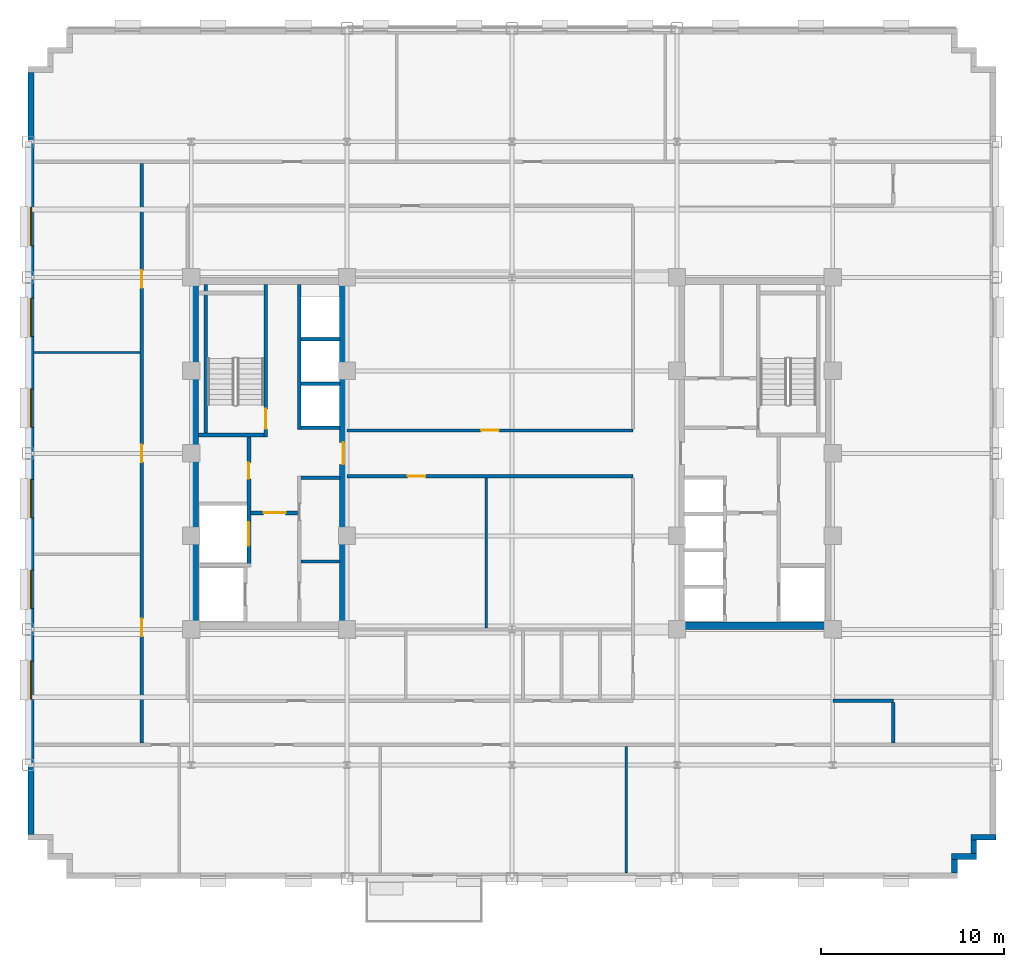
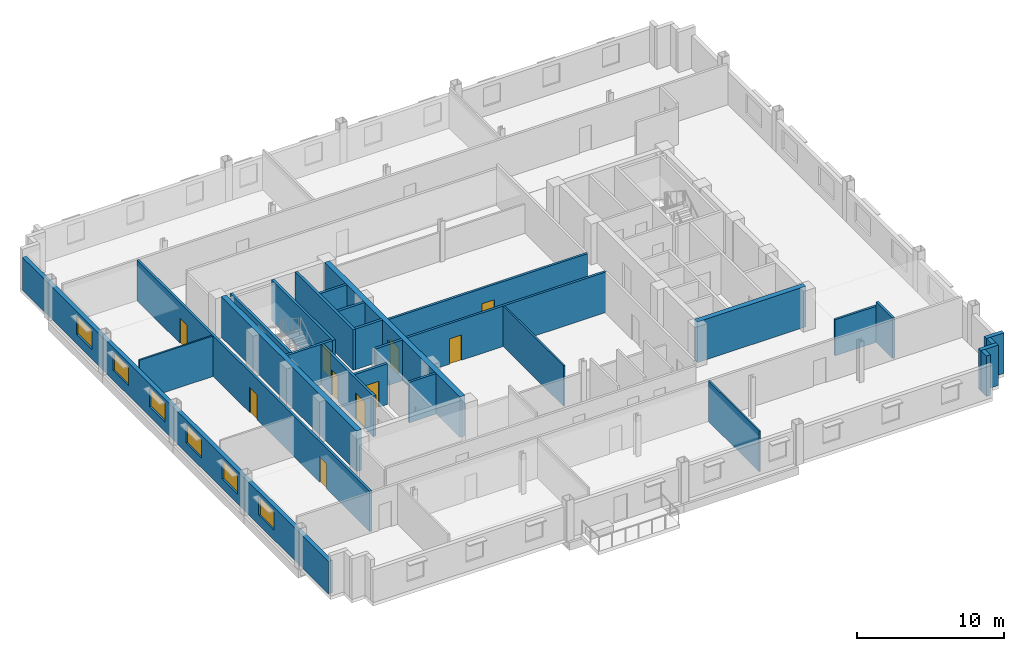
# One storey, part 7 of 13: 27 walls, 10 doors, 6 windows, 16 openings.
"""IFC4 building model written with IfcOpenShell, lengths in metres."""

from ifc_helpers import new_model, si_unit, direction, frame, frame_2d, origin, place, context, subcontext, project, spatial, rectangle, extrude, source, transform, mapped, material, layer, layer_set, type_object, type_shapes, element, fill, save


model = new_model("IFC4")

# Units and contexts
model_context = context("Model", 3, precision=1e-05, world=origin(), true_north=direction((0.0, 1.0)))
body_context = subcontext(model_context, "Body", "Model", "MODEL_VIEW")
ifc_project = project(units=[si_unit("LENGTHUNIT", "METRE"), si_unit("AREAUNIT", "SQUARE_METRE"), si_unit("VOLUMEUNIT", "CUBIC_METRE"), si_unit("PLANEANGLEUNIT", "RADIAN"), si_unit("MASSUNIT", "GRAM", prefix="KILO")], contexts=[model_context])

# Site, building, storey
site_placement = place(None, origin())
site = spatial("IfcSite", under=ifc_project, at=site_placement, CompositionType="ELEMENT")
building_placement = place(site_placement, origin())
building = spatial("IfcBuilding", under=site, at=building_placement, Name="Nuvemarco Arch Tower", CompositionType="ELEMENT")
storey_placement = place(building_placement, frame((0.0, 0.0, 153.050048828125)))
storey = spatial("IfcBuildingStorey", under=building, at=storey_placement, Name="L40", CompositionType="ELEMENT", Elevation=153.050048828125)

# Walls
ifc_material_1 = material(Name="Precast concrete C45/55", Category="concrete")
ifc_layer_1 = layer(ifc_material_1, 0.320068359375, Name="EW-MID-320")
ifc_layer_set_1 = layer_set([ifc_layer_1], Name="Precast concrete C45/55")
wall_type_1 = type_object("IfcWallType", Name="EW-MID-320", PredefinedType="STANDARD", material=ifc_layer_set_1)
wall_1_placement = place(storey_placement, frame((24.139892578125, -22.884033203125, 0.0), z_axis=(0.0, 0.0, 1.0), x_axis=(0.0, 1.0, 0.0)))
element("IfcWall", 1, at=wall_1_placement, inside=storey, type_object=wall_type_1, Name="L40 exterior precast facade wall 2", PredefinedType="STANDARD", context=body_context, shape_type="SweptSolid", body=[
    extrude(rectangle(XDim=0.738037109375, YDim=0.320068359375, at=frame_2d((0.369140625, 0.0))), origin(), (0.0, 0.0, 1.0), 3.35986328125),
])
wall_2_placement = place(storey_placement, frame((23.97998046875, -21.989990234375, 0.0), z_axis=(0.0, 0.0, 1.0), x_axis=(1.0, 0.0, 0.0)))
element("IfcWall", 2, at=wall_2_placement, inside=storey, type_object=wall_type_1, Name="L40 exterior precast facade wall 3", PredefinedType="STANDARD", context=body_context, shape_type="SweptSolid", body=[
    extrude(rectangle(XDim=1.3701171875, YDim=0.320068359375, at=frame_2d((0.68505859375, 0.0))), origin(), (0.0, 0.0, 1.0), 3.35986328125),
])
wall_3_placement = place(storey_placement, frame((25.18994140625, -21.833984375, 0.0), z_axis=(0.0, 0.0, 1.0), x_axis=(0.0, 1.0, 0.0)))
element("IfcWall", 3, at=wall_3_placement, inside=storey, type_object=wall_type_1, Name="L40 exterior precast facade wall 4", PredefinedType="STANDARD", context=body_context, shape_type="SweptSolid", body=[
    extrude(rectangle(XDim=0.738037109375, YDim=0.320068359375, at=frame_2d((0.369140625, 0.0))), origin(), (0.0, 0.0, 1.0), 3.35986328125),
])
wall_4_placement = place(storey_placement, frame((25.030029296875, -20.93994140625, 0.0), z_axis=(0.0, 0.0, 1.0), x_axis=(1.0, 0.0, 0.0)))
element("IfcWall", 4, at=wall_4_placement, inside=storey, type_object=wall_type_1, Name="L40 exterior precast facade wall 5", PredefinedType="STANDARD", context=body_context, shape_type="SweptSolid", body=[
    extrude(rectangle(XDim=1.369873046875, YDim=0.320068359375, at=frame_2d((0.68505859375, 0.0))), origin(), (0.0, 0.0, 1.0), 3.35986328125),
])

# Wall, openings, windows
wall_5_placement = place(storey_placement, frame((-26.239990234375, -20.783935546875, 0.0), z_axis=(0.0, 0.0, 1.0), x_axis=(0.0, 1.0, 0.0)))
wall_5 = element("IfcWall", 5, at=wall_5_placement, inside=storey, type_object=wall_type_1, Name="L40 exterior precast facade wall 16", PredefinedType="STANDARD", context=body_context, shape_type="SweptSolid", body=[
    extrude(rectangle(XDim=41.56787109375, YDim=0.320068359375, at=frame_2d((20.783935546875, 0.0))), origin(), (0.0, 0.0, 1.0), 2.704833984375),
])
opening_1_placement = place(wall_5_placement, frame((7.368896484375, 0.0, 0.800048828125)))
opening_1 = element("IfcOpeningElement", 6, at=opening_1_placement, cuts=wall_5, Name="Opening WN-5", PredefinedType="OPENING", context=body_context, shape_type="SweptSolid", body=[
    extrude(rectangle(XDim=2.10009765625, YDim=1.56005859375, at=frame_2d((1.050048828125, 0.780029296875))), frame((0.0, 0.169921875, 0.0), z_axis=(0.0, -1.0, 0.0), x_axis=(1.0, 0.0, 0.0)), (0.0, 0.0, 1.0), 0.340087890625),
])
opening_2_placement = place(wall_5_placement, frame((12.31494140625, 0.0, 0.800048828125)))
opening_2 = element("IfcOpeningElement", 7, at=opening_2_placement, cuts=wall_5, Name="Opening WN-5", PredefinedType="OPENING", context=body_context, shape_type="SweptSolid", body=[
    extrude(rectangle(XDim=2.10009765625, YDim=1.56005859375, at=frame_2d((1.050048828125, 0.780029296875))), frame((0.0, 0.169921875, 0.0), z_axis=(0.0, -1.0, 0.0), x_axis=(1.0, 0.0, 0.0)), (0.0, 0.0, 1.0), 0.340087890625),
])
opening_3_placement = place(wall_5_placement, frame((17.260986328125, 0.0, 0.800048828125)))
opening_3 = element("IfcOpeningElement", 8, at=opening_3_placement, cuts=wall_5, Name="Opening WN-5", PredefinedType="OPENING", context=body_context, shape_type="SweptSolid", body=[
    extrude(rectangle(XDim=2.10009765625, YDim=1.56005859375, at=frame_2d((1.050048828125, 0.780029296875))), frame((0.0, 0.169921875, 0.0), z_axis=(0.0, -1.0, 0.0), x_axis=(1.0, 0.0, 0.0)), (0.0, 0.0, 1.0), 0.340087890625),
])
opening_4_placement = place(wall_5_placement, frame((22.20703125, 0.0, 0.800048828125)))
opening_4 = element("IfcOpeningElement", 9, at=opening_4_placement, cuts=wall_5, Name="Opening WN-5", PredefinedType="OPENING", context=body_context, shape_type="SweptSolid", body=[
    extrude(rectangle(XDim=2.10009765625, YDim=1.56005859375, at=frame_2d((1.050048828125, 0.780029296875))), frame((0.0, 0.169921875, 0.0), z_axis=(0.0, -1.0, 0.0), x_axis=(1.0, 0.0, 0.0)), (0.0, 0.0, 1.0), 0.340087890625),
])
opening_5_placement = place(wall_5_placement, frame((27.153076171875, 0.0, 0.800048828125)))
opening_5 = element("IfcOpeningElement", 10, at=opening_5_placement, cuts=wall_5, Name="Opening WN-5", PredefinedType="OPENING", context=body_context, shape_type="SweptSolid", body=[
    extrude(rectangle(XDim=2.10009765625, YDim=1.56005859375, at=frame_2d((1.050048828125, 0.780029296875))), frame((0.0, 0.169921875, 0.0), z_axis=(0.0, -1.0, 0.0), x_axis=(1.0, 0.0, 0.0)), (0.0, 0.0, 1.0), 0.340087890625),
])
opening_6_placement = place(wall_5_placement, frame((32.09912109375, 0.0, 0.800048828125)))
opening_6 = element("IfcOpeningElement", 11, at=opening_6_placement, cuts=wall_5, Name="Opening WN-5", PredefinedType="OPENING", context=body_context, shape_type="SweptSolid", body=[
    extrude(rectangle(XDim=2.10009765625, YDim=1.56005859375, at=frame_2d((1.050048828125, 0.780029296875))), frame((0.0, 0.169921875, 0.0), z_axis=(0.0, -1.0, 0.0), x_axis=(1.0, 0.0, 0.0)), (0.0, 0.0, 1.0), 0.340087890625),
])
ifc_material_2 = material(Name="Insulated solar-control glass", Category="glass")
window_type = type_object("IfcWindowType", Name="WN-MID-2100x1560", PartitioningType="DOUBLE_PANEL_VERTICAL", PredefinedType="WINDOW", material=ifc_material_2)
shared_shape_1 = source(origin(), body_context, "Body", "SweptSolid", [
    extrude(rectangle(XDim=2.10009765625, YDim=1.56005859375, at=frame_2d((1.050048828125, 0.780029296875))), frame((0.0, 0.030029296875, 0.0), z_axis=(0.0, -1.0, 0.0), x_axis=(1.0, 0.0, 0.0)), (0.0, 0.0, 1.0), 0.06005859375),
])
type_shapes(window_type, [shared_shape_1])
window_1_placement = place(opening_1_placement, origin())
window_1 = element("IfcWindow", 12, at=window_1_placement, inside=storey, type_object=window_type, Name="L40 punched facade window 2", OverallHeight=1.56005859375, OverallWidth=2.10009765625, PartitioningType="SINGLE_PANEL", PredefinedType="WINDOW", context=body_context, shape_type="MappedRepresentation", body=[
    mapped(shared_shape_1, transform((0.0, 0.0, 0.0), scale=1.0)),
])
fill(opening_1, window_1)
window_2_placement = place(opening_2_placement, origin())
window_2 = element("IfcWindow", 13, at=window_2_placement, inside=storey, type_object=window_type, Name="L40 punched facade window 3", OverallHeight=1.56005859375, OverallWidth=2.10009765625, PartitioningType="SINGLE_PANEL", PredefinedType="WINDOW", context=body_context, shape_type="MappedRepresentation", body=[
    mapped(shared_shape_1, transform((0.0, 0.0, 0.0), scale=1.0)),
])
fill(opening_2, window_2)
window_3_placement = place(opening_3_placement, origin())
window_3 = element("IfcWindow", 14, at=window_3_placement, inside=storey, type_object=window_type, Name="L40 punched facade window 4", OverallHeight=1.56005859375, OverallWidth=2.10009765625, PartitioningType="SINGLE_PANEL", PredefinedType="WINDOW", context=body_context, shape_type="MappedRepresentation", body=[
    mapped(shared_shape_1, transform((0.0, 0.0, 0.0), scale=1.0)),
])
fill(opening_3, window_3)
window_4_placement = place(opening_4_placement, origin())
window_4 = element("IfcWindow", 15, at=window_4_placement, inside=storey, type_object=window_type, Name="L40 punched facade window 5", OverallHeight=1.56005859375, OverallWidth=2.10009765625, PartitioningType="SINGLE_PANEL", PredefinedType="WINDOW", context=body_context, shape_type="MappedRepresentation", body=[
    mapped(shared_shape_1, transform((0.0, 0.0, 0.0), scale=1.0)),
])
fill(opening_4, window_4)
window_5_placement = place(opening_5_placement, origin())
window_5 = element("IfcWindow", 16, at=window_5_placement, inside=storey, type_object=window_type, Name="L40 punched facade window 6", OverallHeight=1.56005859375, OverallWidth=2.10009765625, PartitioningType="SINGLE_PANEL", PredefinedType="WINDOW", context=body_context, shape_type="MappedRepresentation", body=[
    mapped(shared_shape_1, transform((0.0, 0.0, 0.0), scale=1.0)),
])
fill(opening_5, window_5)
window_6_placement = place(opening_6_placement, origin())
window_6 = element("IfcWindow", 17, at=window_6_placement, inside=storey, type_object=window_type, Name="L40 punched facade window 7", OverallHeight=1.56005859375, OverallWidth=2.10009765625, PartitioningType="SINGLE_PANEL", PredefinedType="WINDOW", context=body_context, shape_type="MappedRepresentation", body=[
    mapped(shared_shape_1, transform((0.0, 0.0, 0.0), scale=1.0)),
])
fill(opening_6, window_6)

# Wall
ifc_material_3 = material(Name="Concrete C60/75", Category="concrete")
ifc_layer_2 = layer(ifc_material_3, 0.39990234375, Name="WL-CORE-400")
ifc_layer_set_2 = layer_set([ifc_layer_2], Name="Concrete C60/75")
wall_type_2 = type_object("IfcWallType", Name="WL-CORE-400", PredefinedType="SHEAR", material=ifc_layer_set_2)
wall_6_placement = place(storey_placement, frame((-17.300048828125, -9.205078125, 0.0), z_axis=(0.0, 0.0, 1.0), x_axis=(0.0, 1.0, 0.0)))
element("IfcWall", 18, at=wall_6_placement, inside=storey, type_object=wall_type_2, Name="L40 W-core shear wall W", PredefinedType="SHEAR", context=body_context, shape_type="SweptSolid", body=[
    extrude(rectangle(XDim=18.41015625, YDim=0.39990234375, at=frame_2d((9.205078125, 0.0))), origin(), (0.0, 0.0, 1.0), 3.369873046875),
])

# Wall, opening, door
wall_7_placement = place(storey_placement, frame((-9.199951171875, -9.205078125, 0.0), z_axis=(0.0, 0.0, 1.0), x_axis=(0.0, 1.0, 0.0)))
wall_7 = element("IfcWall", 19, at=wall_7_placement, inside=storey, type_object=wall_type_2, Name="L40 W-core shear wall E", PredefinedType="SHEAR", context=body_context, shape_type="SweptSolid", body=[
    extrude(rectangle(XDim=18.41015625, YDim=0.39990234375, at=frame_2d((9.205078125, 0.0))), origin(), (0.0, 0.0, 1.0), 3.369873046875),
])
opening_7_placement = place(wall_7_placement, frame((8.60498046875, 0.0, 0.0)))
opening_7 = element("IfcOpeningElement", 20, at=opening_7_placement, cuts=wall_7, Name="Opening FD-2", PredefinedType="OPENING", context=body_context, shape_type="SweptSolid", body=[
    extrude(rectangle(XDim=1.199951171875, YDim=2.14990234375, at=frame_2d((0.60009765625, 1.074951171875))), frame((0.0, 0.2099609375, 0.0), z_axis=(0.0, -1.0, 0.0), x_axis=(1.0, 0.0, 0.0)), (0.0, 0.0, 1.0), 0.419921875),
])
ifc_material_4 = material(Name="Anodised steel fire door", Category="steel")
door_type_1 = type_object("IfcDoorType", Name="DR-FFLOB-FD", OperationType="NOTDEFINED", PredefinedType="DOOR", material=ifc_material_4)
shared_shape_2 = source(origin(), body_context, "Body", "SweptSolid", [
    extrude(rectangle(XDim=1.199951171875, YDim=2.14990234375, at=frame_2d((0.60009765625, 1.074951171875))), frame((0.0, 0.02490234375, 0.0), z_axis=(0.0, -1.0, 0.0), x_axis=(1.0, 0.0, 0.0)), (0.0, 0.0, 1.0), 0.050048828125),
])
type_shapes(door_type_1, [shared_shape_2])
door_1_placement = place(opening_7_placement, origin())
door_1 = element("IfcDoor", 21, at=door_1_placement, inside=storey, type_object=door_type_1, Name="L40 door FD-L40-WCORE-E", OperationType="SINGLE_SWING_LEFT", OverallHeight=2.14990234375, OverallWidth=1.199951171875, PredefinedType="DOOR", context=body_context, shape_type="MappedRepresentation", body=[
    mapped(shared_shape_2, transform((0.0, 0.0, 0.0), scale=1.0)),
])
fill(opening_7, door_1)

# Walls
wall_8_placement = place(storey_placement, frame((9.0, -9.39990234375, 0.0), z_axis=(0.0, 0.0, 1.0), x_axis=(1.0, 0.0, 0.0)))
element("IfcWall", 22, at=wall_8_placement, inside=storey, type_object=wall_type_2, Name="L40 E-core shear wall S", PredefinedType="SHEAR", context=body_context, shape_type="SweptSolid", body=[
    extrude(rectangle(XDim=8.5, YDim=0.39990234375, at=frame_2d((4.25, 0.0))), origin(), (0.0, 0.0, 1.0), 3.369873046875),
])
ifc_material_5 = material(Name="Fire-rated gypsum drywall partition")
ifc_layer_3 = layer(ifc_material_5, 0.179931640625, Name="WL-CORR-180")
ifc_layer_set_3 = layer_set([ifc_layer_3], Name="Fire-rated gypsum drywall partition")
wall_type_3 = type_object("IfcWallType", Name="WL-CORR-180", PredefinedType="PARTITIONING", material=ifc_layer_set_3)
wall_9_placement = place(storey_placement, frame((-11.5048828125, -5.89990234375, 0.0), z_axis=(0.0, 0.0, 1.0), x_axis=(1.0, 0.0, 0.0)))
element("IfcWall", 23, at=wall_9_placement, inside=storey, type_object=wall_type_3, Name="L40 interior wall IW-L40-W-RECK3", PredefinedType="PARTITIONING", context=body_context, shape_type="SweptSolid", body=[
    extrude(rectangle(XDim=2.10986328125, YDim=0.179931640625, at=frame_2d((1.054931640625, 0.0))), origin(), (0.0, 0.0, 1.0), 3.35986328125),
])
wall_10_placement = place(storey_placement, frame((17.5, -13.5, 0.0), z_axis=(0.0, 0.0, 1.0), x_axis=(1.0, 0.0, 0.0)))
element("IfcWall", 24, at=wall_10_placement, inside=storey, type_object=wall_type_3, Name="L40 interior wall IW-L40-003", PredefinedType="PARTITIONING", context=body_context, shape_type="SweptSolid", body=[
    extrude(rectangle(XDim=3.300048828125, YDim=0.179931640625, at=frame_2d((1.64990234375, 0.0))), origin(), (0.0, 0.0, 1.0), 2.998046875),
])

# Wall, opening, door
wall_11_placement = place(storey_placement, frame((-9.0, -1.25, 0.0), z_axis=(0.0, 0.0, 1.0), x_axis=(1.0, 0.0, 0.0)))
wall_11 = element("IfcWall", 25, at=wall_11_placement, inside=storey, type_object=wall_type_3, Name="L40 interior wall IW-L40-007", PredefinedType="PARTITIONING", context=body_context, shape_type="SweptSolid", body=[
    extrude(rectangle(XDim=15.60009765625, YDim=0.179931640625, at=frame_2d((7.800048828125, 0.0))), origin(), (0.0, 0.0, 1.0), 3.35986328125),
])
opening_8_placement = place(wall_11_placement, frame((3.320068359375, 0.0, 0.0)))
opening_8 = element("IfcOpeningElement", 26, at=opening_8_placement, cuts=wall_11, Name="Opening FD-5", PredefinedType="OPENING", context=body_context, shape_type="SweptSolid", body=[
    extrude(rectangle(XDim=0.9599609375, YDim=2.10009765625, at=frame_2d((0.47998046875, 1.050048828125))), frame((0.0, 0.099853515625, 0.0), z_axis=(0.0, -1.0, 0.0), x_axis=(1.0, 0.0, 0.0)), (0.0, 0.0, 1.0), 0.199951171875),
])
ifc_material_6 = material(Name="Timber fire door", Category="wood")
door_type_2 = type_object("IfcDoorType", Name="DR-CORR-FD", OperationType="NOTDEFINED", PredefinedType="DOOR", material=ifc_material_6)
shared_shape_3 = source(origin(), body_context, "Body", "SweptSolid", [
    extrude(rectangle(XDim=0.9599609375, YDim=2.10009765625, at=frame_2d((0.47998046875, 1.050048828125))), frame((0.0, 0.02490234375, 0.0), z_axis=(0.0, -1.0, 0.0), x_axis=(1.0, 0.0, 0.0)), (0.0, 0.0, 1.0), 0.050048828125),
])
type_shapes(door_type_2, [shared_shape_3])
door_2_placement = place(opening_8_placement, origin())
door_2 = element("IfcDoor", 27, at=door_2_placement, inside=storey, type_object=door_type_2, Name="L40 door DR-L40-C_S1", OperationType="SINGLE_SWING_LEFT", OverallHeight=2.10009765625, OverallWidth=0.9599609375, PredefinedType="DOOR", context=body_context, shape_type="MappedRepresentation", body=[
    mapped(shared_shape_3, transform((0.0, 0.0, 0.0), scale=1.0)),
])
fill(opening_8, door_2)

wall_12_placement = place(storey_placement, frame((-9.0, 1.25, 0.0), z_axis=(0.0, 0.0, 1.0), x_axis=(1.0, 0.0, 0.0)))
wall_12 = element("IfcWall", 28, at=wall_12_placement, inside=storey, type_object=wall_type_3, Name="L40 interior wall IW-L40-008", PredefinedType="PARTITIONING", context=body_context, shape_type="SweptSolid", body=[
    extrude(rectangle(XDim=15.60009765625, YDim=0.179931640625, at=frame_2d((7.800048828125, 0.0))), origin(), (0.0, 0.0, 1.0), 3.35986328125),
])
opening_9_placement = place(wall_12_placement, frame((7.320068359375, 0.0, 0.0)))
opening_9 = element("IfcOpeningElement", 29, at=opening_9_placement, cuts=wall_12, Name="Opening FD-5", PredefinedType="OPENING", context=body_context, shape_type="SweptSolid", body=[
    extrude(rectangle(XDim=0.9599609375, YDim=2.10009765625, at=frame_2d((0.47998046875, 1.050048828125))), frame((0.0, 0.099853515625, 0.0), z_axis=(0.0, -1.0, 0.0), x_axis=(1.0, 0.0, 0.0)), (0.0, 0.0, 1.0), 0.199951171875),
])
door_3_placement = place(opening_9_placement, origin())
door_3 = element("IfcDoor", 30, at=door_3_placement, inside=storey, type_object=door_type_2, Name="L40 door DR-L40-C_N1", OperationType="SINGLE_SWING_LEFT", OverallHeight=2.10009765625, OverallWidth=0.9599609375, PredefinedType="DOOR", context=body_context, shape_type="MappedRepresentation", body=[
    mapped(shared_shape_3, transform((0.0, 0.0, 0.0), scale=1.0)),
])
fill(opening_9, door_3)

# Wall, openings, doors
wall_13_placement = place(storey_placement, frame((-20.199951171875, -15.81396484375, 0.0), z_axis=(0.0, 0.0, 1.0), x_axis=(0.0, 1.0, 0.0)))
wall_13 = element("IfcWall", 31, at=wall_13_placement, inside=storey, type_object=wall_type_3, Name="L40 interior wall IW-L40-015", PredefinedType="PARTITIONING", context=body_context, shape_type="SweptSolid", body=[
    extrude(rectangle(XDim=31.6279296875, YDim=0.179931640625, at=frame_2d((15.81396484375, 0.0))), origin(), (0.0, 0.0, 1.0), 3.35986328125),
])
opening_10_placement = place(wall_13_placement, frame((15.333984375, 0.0, 0.0)))
opening_10 = element("IfcOpeningElement", 32, at=opening_10_placement, cuts=wall_13, Name="Opening FD-5", PredefinedType="OPENING", context=body_context, shape_type="SweptSolid", body=[
    extrude(rectangle(XDim=0.9599609375, YDim=2.10009765625, at=frame_2d((0.47998046875, 1.050048828125))), frame((0.0, 0.099853515625, 0.0), z_axis=(0.0, -1.0, 0.0), x_axis=(1.0, 0.0, 0.0)), (0.0, 0.0, 1.0), 0.199951171875),
])
opening_11_placement = place(wall_13_placement, frame((5.833984375, 0.0, 0.0)))
opening_11 = element("IfcOpeningElement", 33, at=opening_11_placement, cuts=wall_13, Name="Opening FD-5", PredefinedType="OPENING", context=body_context, shape_type="SweptSolid", body=[
    extrude(rectangle(XDim=0.9599609375, YDim=2.10009765625, at=frame_2d((0.47998046875, 1.050048828125))), frame((0.0, 0.099853515625, 0.0), z_axis=(0.0, -1.0, 0.0), x_axis=(1.0, 0.0, 0.0)), (0.0, 0.0, 1.0), 0.199951171875),
])
opening_12_placement = place(wall_13_placement, frame((24.833984375, 0.0, 0.0)))
opening_12 = element("IfcOpeningElement", 34, at=opening_12_placement, cuts=wall_13, Name="Opening FD-5", PredefinedType="OPENING", context=body_context, shape_type="SweptSolid", body=[
    extrude(rectangle(XDim=0.9599609375, YDim=2.10009765625, at=frame_2d((0.47998046875, 1.050048828125))), frame((0.0, 0.099853515625, 0.0), z_axis=(0.0, -1.0, 0.0), x_axis=(1.0, 0.0, 0.0)), (0.0, 0.0, 1.0), 0.199951171875),
])
door_4_placement = place(opening_10_placement, origin())
door_4 = element("IfcDoor", 35, at=door_4_placement, inside=storey, type_object=door_type_2, Name="L40 door DR-L40-W_2", OperationType="SINGLE_SWING_RIGHT", OverallHeight=2.10009765625, OverallWidth=0.9599609375, PredefinedType="DOOR", context=body_context, shape_type="MappedRepresentation", body=[
    mapped(shared_shape_3, transform((0.0, 0.0, 0.0), scale=1.0)),
])
fill(opening_10, door_4)
door_5_placement = place(opening_11_placement, origin())
door_5 = element("IfcDoor", 36, at=door_5_placement, inside=storey, type_object=door_type_2, Name="L40 door DR-L40-W_1", OperationType="SINGLE_SWING_LEFT", OverallHeight=2.10009765625, OverallWidth=0.9599609375, PredefinedType="DOOR", context=body_context, shape_type="MappedRepresentation", body=[
    mapped(shared_shape_3, transform((0.0, 0.0, 0.0), scale=1.0)),
])
fill(opening_11, door_5)
door_6_placement = place(opening_12_placement, origin())
door_6 = element("IfcDoor", 37, at=door_6_placement, inside=storey, type_object=door_type_2, Name="L40 door DR-L40-W_3", OperationType="SINGLE_SWING_RIGHT", OverallHeight=2.10009765625, OverallWidth=0.9599609375, PredefinedType="DOOR", context=body_context, shape_type="MappedRepresentation", body=[
    mapped(shared_shape_3, transform((0.0, 0.0, 0.0), scale=1.0)),
])
fill(opening_12, door_6)

# Walls
wall_14_placement = place(storey_placement, frame((20.800048828125, -15.81396484375, 0.0), z_axis=(0.0, 0.0, 1.0), x_axis=(0.0, 1.0, 0.0)))
element("IfcWall", 38, at=wall_14_placement, inside=storey, type_object=wall_type_3, Name="L40 interior wall IW-L40-030", PredefinedType="PARTITIONING", context=body_context, shape_type="SweptSolid", body=[
    extrude(rectangle(XDim=2.22802734375, YDim=0.179931640625, at=frame_2d((1.114013671875, 0.0))), origin(), (0.0, 0.0, 1.0), 3.35986328125),
])
ifc_material_7 = material(Name="Glazed acoustic office partition")
ifc_layer_4 = layer(ifc_material_7, 0.1298828125, Name="WL-EXEC-130")
ifc_layer_set_4 = layer_set([ifc_layer_4], Name="Glazed acoustic office partition")
wall_type_4 = type_object("IfcWallType", Name="WL-EXEC-130", PredefinedType="PARTITIONING", material=ifc_layer_set_4)
wall_15_placement = place(storey_placement, frame((-26.080078125, 5.5, 0.0), z_axis=(0.0, 0.0, 1.0), x_axis=(1.0, 0.0, 0.0)))
element("IfcWall", 39, at=wall_15_placement, inside=storey, type_object=wall_type_4, Name="L40 interior wall IW-L40-009", PredefinedType="PARTITIONING", context=body_context, shape_type="SweptSolid", body=[
    extrude(rectangle(XDim=5.794189453125, YDim=0.1298828125, at=frame_2d((2.89697265625, 0.0))), origin(), (0.0, 0.0, 1.0), 3.35986328125),
])
wall_16_placement = place(storey_placement, frame((-1.39990234375, -9.52392578125, 0.0), z_axis=(0.0, 0.0, 1.0), x_axis=(0.0, 1.0, 0.0)))
element("IfcWall", 40, at=wall_16_placement, inside=storey, type_object=wall_type_4, Name="L40 interior wall IW-L40-022", PredefinedType="PARTITIONING", context=body_context, shape_type="SweptSolid", body=[
    extrude(rectangle(XDim=8.18798828125, YDim=0.1298828125, at=frame_2d((4.093994140625, 0.0))), origin(), (0.0, 0.0, 1.0), 3.35986328125),
])
wall_17_placement = place(storey_placement, frame((6.22998046875, -22.8798828125, 0.0), z_axis=(0.0, 0.0, 1.0), x_axis=(0.0, 1.0, 0.0)))
element("IfcWall", 41, at=wall_17_placement, inside=storey, type_object=wall_type_4, Name="L40 interior wall IW-L40-026", PredefinedType="PARTITIONING", context=body_context, shape_type="SweptSolid", body=[
    extrude(rectangle(XDim=6.893798828125, YDim=0.1298828125, at=frame_2d((3.44677734375, 0.0))), origin(), (0.0, 0.0, 1.0), 3.35986328125),
])

# Wall, opening, door
ifc_material_8 = material(Name="Concrete C50/60", Category="concrete")
ifc_layer_5 = layer(ifc_material_8, 0.199951171875, Name="WL-SHAFT-220")
ifc_layer_set_5 = layer_set([ifc_layer_5], Name="Concrete C50/60")
wall_type_5 = type_object("IfcWallType", Name="WL-SHAFT-220", PredefinedType="SHEAR", material=ifc_layer_set_5)
wall_18_placement = place(storey_placement, frame((-13.43994140625, 0.89990234375, 0.0), z_axis=(0.0, 0.0, 1.0), x_axis=(0.0, 1.0, 0.0)))
wall_18 = element("IfcWall", 42, at=wall_18_placement, inside=storey, type_object=wall_type_5, Name="L40 structural shaft wall SW-L40-W-ST1E", PredefinedType="SHEAR", context=body_context, shape_type="SweptSolid", body=[
    extrude(rectangle(XDim=8.30517578125, YDim=0.199951171875, at=frame_2d((4.152587890625, 0.0))), origin(), (0.0, 0.0, 1.0), 3.369873046875),
])
opening_13_placement = place(wall_18_placement, frame((1.530029296875, 0.0, 0.0), z_axis=(0.0, 0.0, 1.0), x_axis=(-1.0, 0.0, 0.0)))
opening_13 = element("IfcOpeningElement", 43, at=opening_13_placement, cuts=wall_18, Name="Opening FD-1", PredefinedType="OPENING", context=body_context, shape_type="SweptSolid", body=[
    extrude(rectangle(XDim=1.10009765625, YDim=2.14990234375, at=frame_2d((0.550048828125, 1.074951171875))), frame((0.0, 0.10986328125, 0.0), z_axis=(0.0, -1.0, 0.0), x_axis=(1.0, 0.0, 0.0)), (0.0, 0.0, 1.0), 0.219970703125),
])
door_type_3 = type_object("IfcDoorType", Name="DR-STAIR-FD", OperationType="NOTDEFINED", PredefinedType="DOOR", material=ifc_material_4)
shared_shape_4 = source(origin(), body_context, "Body", "SweptSolid", [
    extrude(rectangle(XDim=1.10009765625, YDim=2.14990234375, at=frame_2d((0.550048828125, 1.074951171875))), frame((0.0, 0.02490234375, 0.0), z_axis=(0.0, -1.0, 0.0), x_axis=(1.0, 0.0, 0.0)), (0.0, 0.0, 1.0), 0.050048828125),
])
type_shapes(door_type_3, [shared_shape_4])
door_7_placement = place(opening_13_placement, origin())
door_7 = element("IfcDoor", 44, at=door_7_placement, inside=storey, type_object=door_type_3, Name="L40 door FD-L40-ST1", OperationType="SINGLE_SWING_LEFT", OverallHeight=2.14990234375, OverallWidth=1.10009765625, PredefinedType="DOOR", context=body_context, shape_type="MappedRepresentation", body=[
    mapped(shared_shape_4, transform((0.0, 0.0, 0.0), scale=1.0)),
])
fill(opening_13, door_7)

# Walls
wall_19_placement = place(storey_placement, frame((-17.10498046875, 1.0, 0.0), z_axis=(0.0, 0.0, 1.0), x_axis=(1.0, 0.0, 0.0)))
element("IfcWall", 45, at=wall_19_placement, inside=storey, type_object=wall_type_5, Name="L40 structural shaft wall SW-L40-W-ST1S", PredefinedType="SHEAR", context=body_context, shape_type="SweptSolid", body=[
    extrude(rectangle(XDim=3.570068359375, YDim=0.199951171875, at=frame_2d((1.78515625, 0.0))), origin(), (0.0, 0.0, 1.0), 3.369873046875),
])
wall_20_placement = place(storey_placement, frame((-16.699951171875, 1.094970703125, 0.0), z_axis=(0.0, 0.0, 1.0), x_axis=(0.0, 1.0, 0.0)))
element("IfcWall", 46, at=wall_20_placement, inside=storey, type_object=wall_type_5, Name="L40 structural shaft wall SW-L40-W-ST1W", PredefinedType="SHEAR", context=body_context, shape_type="SweptSolid", body=[
    extrude(rectangle(XDim=8.110107421875, YDim=0.199951171875, at=frame_2d((4.05517578125, 0.0))), origin(), (0.0, 0.0, 1.0), 3.369873046875),
])

# Wall, openings, doors
wall_21_placement = place(storey_placement, frame((-14.35009765625, -6.199951171875, 0.0), z_axis=(0.0, 0.0, 1.0), x_axis=(0.0, 1.0, 0.0)))
wall_21 = element("IfcWall", 47, at=wall_21_placement, inside=storey, type_object=wall_type_5, Name="L40 structural shaft wall SW-L40-W-SVE", PredefinedType="SHEAR", context=body_context, shape_type="SweptSolid", body=[
    extrude(rectangle(XDim=7.10498046875, YDim=0.199951171875, at=frame_2d((3.552490234375, 0.0))), origin(), (0.0, 0.0, 1.0), 3.369873046875),
])
opening_14_placement = place(wall_21_placement, frame((5.68994140625, 0.0, 0.0), z_axis=(0.0, 0.0, 1.0), x_axis=(-1.0, 0.0, 0.0)))
opening_14 = element("IfcOpeningElement", 48, at=opening_14_placement, cuts=wall_21, Name="Opening FD-4", PredefinedType="OPENING", context=body_context, shape_type="SweptSolid", body=[
    extrude(rectangle(XDim=0.8798828125, YDim=2.10009765625, at=frame_2d((0.43994140625, 1.050048828125))), frame((0.0, 0.10986328125, 0.0), z_axis=(0.0, -1.0, 0.0), x_axis=(1.0, 0.0, 0.0)), (0.0, 0.0, 1.0), 0.219970703125),
])
opening_15_placement = place(wall_21_placement, frame((1.14990234375, 0.0, 0.0)))
opening_15 = element("IfcOpeningElement", 49, at=opening_15_placement, cuts=wall_21, Name="Opening LD-3", PredefinedType="OPENING", context=body_context, shape_type="SweptSolid", body=[
    extrude(rectangle(XDim=1.300048828125, YDim=2.199951171875, at=frame_2d((0.64990234375, 1.10009765625))), frame((0.0, 0.10986328125, 0.0), z_axis=(0.0, -1.0, 0.0), x_axis=(1.0, 0.0, 0.0)), (0.0, 0.0, 1.0), 0.219970703125),
])
door_type_4 = type_object("IfcDoorType", Name="DR-RISER-FD", OperationType="NOTDEFINED", PredefinedType="DOOR", material=ifc_material_4)
shared_shape_5 = source(origin(), body_context, "Body", "SweptSolid", [
    extrude(rectangle(XDim=0.8798828125, YDim=2.10009765625, at=frame_2d((0.43994140625, 1.050048828125))), frame((0.0, 0.02490234375, 0.0), z_axis=(0.0, -1.0, 0.0), x_axis=(1.0, 0.0, 0.0)), (0.0, 0.0, 1.0), 0.050048828125),
])
type_shapes(door_type_4, [shared_shape_5])
door_8_placement = place(opening_14_placement, origin())
door_8 = element("IfcDoor", 50, at=door_8_placement, inside=storey, type_object=door_type_4, Name="L40 door FD-L40-WRIS", OperationType="SINGLE_SWING_LEFT", OverallHeight=2.10009765625, OverallWidth=0.8798828125, PredefinedType="DOOR", context=body_context, shape_type="MappedRepresentation", body=[
    mapped(shared_shape_5, transform((0.0, 0.0, 0.0), scale=1.0)),
])
fill(opening_14, door_8)
ifc_material_9 = material(Name="Stainless steel lift door", Category="steel")
door_type_5 = type_object("IfcDoorType", Name="DR-LIFT-SERV", OperationType="DOUBLE_DOOR_SLIDING", PredefinedType="DOOR", material=ifc_material_9)
shared_shape_6 = source(origin(), body_context, "Body", "SweptSolid", [
    extrude(rectangle(XDim=1.300048828125, YDim=2.199951171875, at=frame_2d((0.64990234375, 1.10009765625))), frame((0.0, 0.02490234375, 0.0), z_axis=(0.0, -1.0, 0.0), x_axis=(1.0, 0.0, 0.0)), (0.0, 0.0, 1.0), 0.050048828125),
])
type_shapes(door_type_5, [shared_shape_6])
door_9_placement = place(opening_15_placement, origin())
door_9 = element("IfcDoor", 51, at=door_9_placement, inside=storey, type_object=door_type_5, Name="L40 Lift landing sliding door SVL-1", OperationType="DOUBLE_DOOR_SLIDING", OverallHeight=2.199951171875, OverallWidth=1.300048828125, PredefinedType="DOOR", context=body_context, shape_type="MappedRepresentation", body=[
    mapped(shared_shape_6, transform((0.0, 0.0, 0.0), scale=1.0)),
])
fill(opening_15, door_9)

# Wall, opening, door
wall_22_placement = place(storey_placement, frame((-14.2548828125, -3.25, 0.0), z_axis=(0.0, 0.0, 1.0), x_axis=(1.0, 0.0, 0.0)))
wall_22 = element("IfcWall", 52, at=wall_22_placement, inside=storey, type_object=wall_type_5, Name="L40 structural shaft wall SW-L40-W-FFN", PredefinedType="SHEAR", context=body_context, shape_type="SweptSolid", body=[
    extrude(rectangle(XDim=2.559814453125, YDim=0.199951171875, at=frame_2d((1.27978515625, 0.0))), origin(), (0.0, 0.0, 1.0), 3.369873046875),
])
opening_16_placement = place(wall_22_placement, frame((0.705078125, 0.0, 0.0)))
opening_16 = element("IfcOpeningElement", 53, at=opening_16_placement, cuts=wall_22, Name="Opening FD-2", PredefinedType="OPENING", context=body_context, shape_type="SweptSolid", body=[
    extrude(rectangle(XDim=1.199951171875, YDim=2.14990234375, at=frame_2d((0.60009765625, 1.074951171875))), frame((0.0, 0.10986328125, 0.0), z_axis=(0.0, -1.0, 0.0), x_axis=(1.0, 0.0, 0.0)), (0.0, 0.0, 1.0), 0.219970703125),
])
door_10_placement = place(opening_16_placement, origin())
door_10 = element("IfcDoor", 54, at=door_10_placement, inside=storey, type_object=door_type_1, Name="L40 door FD-L40-WFF1", OperationType="SINGLE_SWING_LEFT", OverallHeight=2.14990234375, OverallWidth=1.199951171875, PredefinedType="DOOR", context=body_context, shape_type="MappedRepresentation", body=[
    mapped(shared_shape_2, transform((0.0, 0.0, 0.0), scale=1.0)),
])
fill(opening_16, door_10)

# Walls
wall_23_placement = place(storey_placement, frame((-11.5048828125, -1.330078125, 0.0), z_axis=(0.0, 0.0, 1.0), x_axis=(1.0, 0.0, 0.0)))
element("IfcWall", 55, at=wall_23_placement, inside=storey, type_object=wall_type_5, Name="L40 structural shaft wall SW-L40-W-PLTOP", PredefinedType="SHEAR", context=body_context, shape_type="SweptSolid", body=[
    extrude(rectangle(XDim=2.10986328125, YDim=0.199951171875, at=frame_2d((1.054931640625, 0.0))), origin(), (0.0, 0.0, 1.0), 3.369873046875),
])
wall_24_placement = place(storey_placement, frame((-11.60009765625, 1.300048828125, 0.0), z_axis=(0.0, 0.0, 1.0), x_axis=(0.0, 1.0, 0.0)))
element("IfcWall", 56, at=wall_24_placement, inside=storey, type_object=wall_type_5, Name="L40 structural shaft wall SW-L40-W-PHW", PredefinedType="SHEAR", context=body_context, shape_type="SweptSolid", body=[
    extrude(rectangle(XDim=7.905029296875, YDim=0.199951171875, at=frame_2d((3.95263671875, 0.0))), origin(), (0.0, 0.0, 1.0), 3.369873046875),
])
for number, where, z_axis, x_axis, name in (
    (57, (-11.5048828125, 1.39990234375, 0.0), (0.0, 0.0, 1.0), (1.0, 0.0, 0.0), "L40 structural shaft wall SW-L40-W-PHD1"),
    (58, (-11.5048828125, 3.800048828125, 0.0), (0.0, 0.0, 1.0), (1.0, 0.0, 0.0), "L40 structural shaft wall SW-L40-W-PHD2"),
    (59, (-11.5048828125, 6.219970703125, 0.0), (0.0, 0.0, 1.0), (1.0, 0.0, 0.0), "L40 structural shaft wall SW-L40-W-PHD3"),
):
    element("IfcWall", number, at=place(storey_placement, frame(where, z_axis=z_axis, x_axis=x_axis)), inside=storey, type_object=wall_type_5, Name=name, PredefinedType="SHEAR", context=body_context, shape_type="SweptSolid", body=[
        extrude(rectangle(XDim=2.10986328125, YDim=0.199951171875, at=frame_2d((1.054931640625, 0.0))), origin(), (0.0, 0.0, 1.0), 3.369873046875),
    ])

save(model, "model.ifc")
